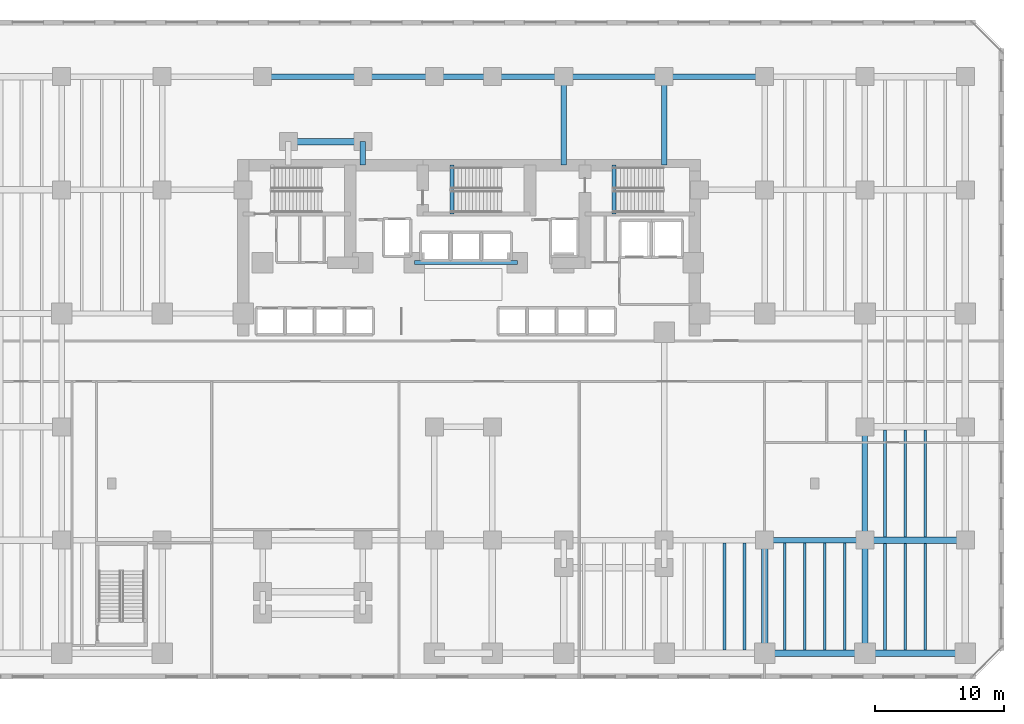
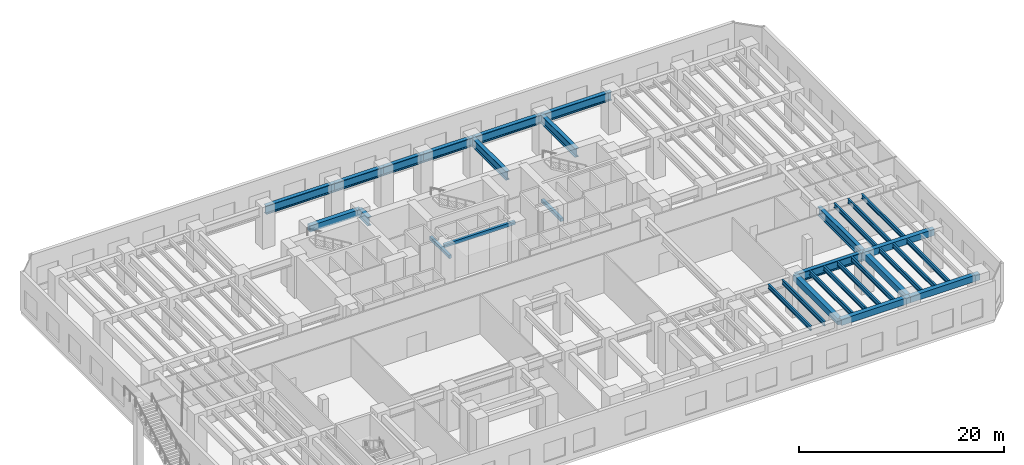
# One storey, part 5 of 19: 32 beams.
"""IFC4 building model written with IfcOpenShell, lengths in metres."""

import ifcopenshell
import ifcopenshell.guid

model = None  # the IFC model being written
_history = None  # IfcOwnerHistory: only IFC2X3 demands one
_inside = {}  # id of a spatial element -> (the spatial element, [elements in it])
_under = {}  # id of a project, library or spatial element -> (it, [spatial elements below it])
_declared = {}  # id of a project -> (the project, [libraries it declares])
_typed = {}  # id of a type object -> (the type object, [elements of that type])
_made_of = {}  # id of a material, layer set ... -> (it, [elements and type objects made of it])


def new_model(schema):
    """Start an empty IFC model of exactly this schema.

    Asked for "IFC4X3", IfcOpenShell would pick the latest addendum, in which some entities
    have other attributes; the version numbers below select the first issue.
    IFC2X3 requires an IfcOwnerHistory on every rooted entity: one is made here for all.
    """
    global model, _history
    if schema == "IFC4X3":
        model = ifcopenshell.file(schema_version=(4, 3, 0, 0))
    else:
        model = ifcopenshell.file(schema=schema)
    _inside.clear()
    _under.clear()
    _declared.clear()
    _typed.clear()
    _made_of.clear()
    _history = None
    if model.schema == "IFC2X3":
        org = make("IfcOrganization", Name="unknown")
        user = make(
            "IfcPersonAndOrganization",
            ThePerson=make("IfcPerson", FamilyName="unknown"),
            TheOrganization=org,
        )
        app = make(
            "IfcApplication",
            ApplicationDeveloper=org,
            Version="unknown",
            ApplicationFullName="unknown",
            ApplicationIdentifier="unknown",
        )
        _history = make(
            "IfcOwnerHistory",
            OwningUser=user,
            OwningApplication=app,
            ChangeAction="ADDED",
            CreationDate=0,
        )
    return model


def make(cls, **values):
    """One entity of the class cls with the attributes given. An attribute that is None is left unset."""
    return model.create_entity(
        cls, **{name: value for name, value in values.items() if value is not None}
    )


def rooted(cls, **values):
    """An entity with a GlobalId (a new one), such as an element, a storey or a relation."""
    return make(cls, GlobalId=ifcopenshell.guid.new(), OwnerHistory=_history, **values)


def si_unit(unit_type, name, prefix=None):
    """IfcSIUnit, for example si_unit("LENGTHUNIT", "METRE", prefix="MILLI")."""
    return make("IfcSIUnit", UnitType=unit_type, Prefix=prefix, Name=name)


def assignment(units):
    """IfcUnitAssignment: the units of a project."""
    return None if units is None else make("IfcUnitAssignment", Units=units)


def point(xyz):
    """IfcCartesianPoint."""
    return None if xyz is None else make("IfcCartesianPoint", Coordinates=xyz)


def direction(xyz):
    """IfcDirection."""
    return None if xyz is None else make("IfcDirection", DirectionRatios=xyz)


def frame(location, z_axis=None, x_axis=None):
    """IfcAxis2Placement3D, a coordinate frame: its origin and axes. An axis left out is left unset."""
    return make(
        "IfcAxis2Placement3D",
        Location=point(location),
        Axis=direction(z_axis),
        RefDirection=direction(x_axis),
    )


def frame_2d(location, x_axis=None):
    """IfcAxis2Placement2D, a coordinate frame in the plane: its origin and x axis."""
    return make(
        "IfcAxis2Placement2D", Location=point(location), RefDirection=direction(x_axis)
    )


def origin():
    """The frame at (0, 0, 0) with its axes left unset."""
    return frame((0.0, 0.0, 0.0))


def origin_2d():
    """The frame at (0, 0) in the plane with its x axis left unset."""
    return frame_2d((0.0, 0.0))


def place(relative_to, where):
    """IfcLocalPlacement: puts the frame where relative to a parent placement (None: the world)."""
    return make(
        "IfcLocalPlacement", PlacementRelTo=relative_to, RelativePlacement=where
    )


def context(
    kind, dimensions, precision=None, world=None, true_north=None, identifier=None
):
    """IfcGeometricRepresentationContext, for example the 3D "Model" context."""
    return make(
        "IfcGeometricRepresentationContext",
        ContextIdentifier=identifier,
        ContextType=kind,
        CoordinateSpaceDimension=dimensions,
        Precision=precision,
        WorldCoordinateSystem=world,
        TrueNorth=true_north,
    )


def subcontext(parent, identifier, kind, view, scale=None):
    """IfcGeometricRepresentationSubContext, for example "Body" below "Model"."""
    return make(
        "IfcGeometricRepresentationSubContext",
        ContextIdentifier=identifier,
        ContextType=kind,
        ParentContext=parent,
        TargetScale=scale,
        TargetView=view,
    )


def project(units=None, contexts=None):
    """IfcProject with its units and contexts."""
    return rooted(
        "IfcProject",
        Name="project",
        RepresentationContexts=contexts,
        UnitsInContext=assignment(units),
    )


def spatial(cls, under=None, at=None, **own):
    """A site, building, storey or space (cls), placed at a placement, below another one or the project."""
    s = rooted(cls, ObjectPlacement=at, **own)
    if under is not None:
        _under.setdefault(under.id(), (under, []))[1].append(s)
    return s


def profile(cls, at=None, kind="AREA", **sizes):
    """A parametric profile (cls). Its sizes go by their IFC names, for example OverallWidth=200.0."""
    return make(cls, ProfileType=kind, Position=at, **sizes)


def rectangle(**sizes):
    """IfcRectangleProfileDef."""
    return profile("IfcRectangleProfileDef", **sizes)


def i_section(**sizes):
    """IfcIShapeProfileDef."""
    return profile("IfcIShapeProfileDef", **sizes)


def extrude(swept, where, along, depth):
    """IfcExtrudedAreaSolid: the profile swept, set in the frame where, extruded along a direction by depth."""
    return make(
        "IfcExtrudedAreaSolid",
        SweptArea=swept,
        Position=where,
        ExtrudedDirection=direction(along),
        Depth=depth,
    )


def shape(context_of_items, identifier, shape_type, items):
    """IfcShapeRepresentation: the items that make up one representation, for example the "Body"."""
    return make(
        "IfcShapeRepresentation",
        ContextOfItems=context_of_items,
        RepresentationIdentifier=identifier,
        RepresentationType=shape_type,
        Items=items,
    )


def material(Name=None, Category=None):
    """IfcMaterial."""
    return make("IfcMaterial", Name=Name, Category=Category)


def material_profile(
    of_material, cross_section, Name=None, Category=None, Priority=None
):
    """IfcMaterialProfile: a cross section and its material."""
    return make(
        "IfcMaterialProfile",
        Name=Name,
        Material=of_material,
        Profile=cross_section,
        Priority=Priority,
        Category=Category,
    )


def profile_set(profiles, Name=None, composite=None):
    """IfcMaterialProfileSet."""
    return make(
        "IfcMaterialProfileSet",
        Name=Name,
        MaterialProfiles=profiles,
        CompositeProfile=composite,
    )


def made_of(thing, what):
    """Note that an element or type object is made of a material, layer set ...; save() writes the relation."""
    if what is not None:
        _made_of.setdefault(what.id(), (what, []))[1].append(thing)
    return thing


def type_object(cls, material=None, **own):
    """A type object (cls), such as IfcWallType, which elements share."""
    return made_of(rooted(cls, **own), material)


def element(
    cls,
    number,
    at=None,
    inside=None,
    cuts=None,
    type_object=None,
    material=None,
    context=None,
    identifier="Body",
    shape_type=None,
    held_by="IfcProductDefinitionShape",
    body=None,
    shapes=None,
    **own,
):
    """One element of the class cls, such as IfcWall. Its Tag is "e" and its number.

    at: its placement. inside: the storey or other place that contains it. cuts: it is an
    opening in that element (IfcRelVoidsElement). A single representation is given by context,
    identifier, shape_type and body (its items); several are given by shapes. held_by: the class
    of the entity that holds the representations. save() writes the other relations.
    """
    e = rooted(cls, Tag="e%d" % number, ObjectPlacement=at, **own)
    if body is not None:
        shapes = [shape(context, identifier, shape_type, body)]
    if shapes is not None:
        e.Representation = make(held_by, Representations=shapes)
    if inside is not None:
        _inside.setdefault(inside.id(), (inside, []))[1].append(e)
    if cuts is not None:
        rooted(
            "IfcRelVoidsElement", RelatingBuildingElement=cuts, RelatedOpeningElement=e
        )
    if type_object is not None:
        _typed.setdefault(type_object.id(), (type_object, []))[1].append(e)
    return made_of(e, material)


def aggregate(whole, parts):
    """IfcRelAggregates: a whole, such as a stair, and the parts it consists of."""
    return rooted("IfcRelAggregates", RelatingObject=whole, RelatedObjects=parts)


def save(model, path):
    """Write the relations noted so far, then the file.

    IfcRelAggregates (storeys below a building ...), IfcRelContainedInSpatialStructure (elements
    in a storey), IfcRelDefinesByType, IfcRelAssociatesMaterial and IfcRelDeclares: one each for
    every whole, place, type object, material and project.
    """
    for whole, parts in _under.values():
        aggregate(whole, parts)
    for where, things in _inside.values():
        rooted(
            "IfcRelContainedInSpatialStructure",
            RelatedElements=things,
            RelatingStructure=where,
        )
    for kind, things in _typed.values():
        rooted("IfcRelDefinesByType", RelatedObjects=things, RelatingType=kind)
    for what, things in _made_of.values():
        rooted("IfcRelAssociatesMaterial", RelatedObjects=things, RelatingMaterial=what)
    for by, libraries in _declared.values():
        rooted("IfcRelDeclares", RelatingContext=by, RelatedDefinitions=libraries)
    model.write(path)


model = new_model("IFC4")

# Units and contexts
model_context = context("Model", 3, precision=1e-05, world=origin(), true_north=direction((0.0, 1.0)))
body_context = subcontext(model_context, "Body", "Model", "MODEL_VIEW")
ifc_project = project(units=[si_unit("LENGTHUNIT", "METRE"), si_unit("AREAUNIT", "SQUARE_METRE"), si_unit("VOLUMEUNIT", "CUBIC_METRE"), si_unit("PLANEANGLEUNIT", "RADIAN"), si_unit("MASSUNIT", "GRAM", prefix="KILO")], contexts=[model_context])

# Site, building, storey
site_placement = place(None, origin())
site = spatial("IfcSite", under=ifc_project, at=site_placement, CompositionType="ELEMENT")
building_placement = place(site_placement, origin())
building = spatial("IfcBuilding", under=site, at=building_placement, Name="Kestravale Grand Hotel", CompositionType="ELEMENT")
storey_placement = place(building_placement, frame((0.0, 0.0, 5.39990234375)))
storey = spatial("IfcBuildingStorey", under=building, at=storey_placement, Name="L01", CompositionType="ELEMENT", Elevation=5.39990234375)

# Beams
ifc_material_1 = material(Name="Steel ASTM A992 Grade 50", Category="steel")
ifc_material_profile_1 = material_profile(ifc_material_1, i_section(OverallWidth=0.2099609375, OverallDepth=0.535888671875, WebThickness=0.010986328125, FlangeThickness=0.017333984375, FilletRadius=0.017578125, at=origin_2d()))
ifc_profile_set_1 = profile_set([ifc_material_profile_1], Name="Steel ASTM A992 Grade 50")
beam_type_1 = type_object("IfcBeamType", Name="B-FLR-JST21", PredefinedType="JOIST", material=ifc_profile_set_1)
for number, where, z_axis, x_axis, name in (
    (1, (59.280029296875, 2.64990234375, 4.382080078125), (0.0, 1.0, 0.0), (-1.0, 0.0, 0.0), "L01 floor joist 9-10/B-C #3"),
    (2, (60.840087890625, 2.64990234375, 4.382080078125), (0.0, 1.0, 0.0), (-1.0, 0.0, 0.0), "L01 floor joist 9-10/B-C #4"),
    (3, (63.9599609375, 2.64990234375, 4.382080078125), (0.0, 1.0, 0.0), (-1.0, 0.0, 0.0), "L01 floor joist 10-11/B-C #1"),
    (4, (65.52001953125, 2.64990234375, 4.382080078125), (0.0, 1.0, 0.0), (-1.0, 0.0, 0.0), "L01 floor joist 10-11/B-C #2"),
    (5, (67.080078125, 2.64990234375, 4.382080078125), (0.0, 1.0, 0.0), (-1.0, 0.0, 0.0), "L01 floor joist 10-11/B-C #3"),
    (6, (68.639892578125, 2.64990234375, 4.382080078125), (0.0, 1.0, 0.0), (-1.0, 0.0, 0.0), "L01 floor joist 10-11/B-C #4"),
):
    element("IfcBeam", number, at=place(storey_placement, frame(where, z_axis=z_axis, x_axis=x_axis)), inside=storey, type_object=beam_type_1, Name=name, PredefinedType="JOIST", context=body_context, shape_type="SweptSolid", body=[
        extrude(i_section(OverallWidth=0.2099609375, OverallDepth=0.535888671875, WebThickness=0.010986328125, FlangeThickness=0.017333984375, FilletRadius=0.017578125, at=origin_2d()), origin(), (0.0, 0.0, 1.0), 8.336669921875),
    ])
for number, where, z_axis, x_axis, name in (
    (7, (71.760009765625, 2.64990234375, 4.382080078125), (0.0, 1.0, 0.0), (-1.0, 0.0, 0.0), "L01 floor joist 11-12/B-C #1"),
    (8, (73.320068359375, 2.64990234375, 4.382080078125), (0.0, 1.0, 0.0), (-1.0, 0.0, 0.0), "L01 floor joist 11-12/B-C #2"),
    (9, (74.8798828125, 2.64990234375, 4.382080078125), (0.0, 1.0, 0.0), (-1.0, 0.0, 0.0), "L01 floor joist 11-12/B-C #3"),
    (10, (71.760009765625, 11.449951171875, 4.382080078125), (0.0, 1.0, 0.0), (-1.0, 0.0, 0.0), "L01 floor joist 11-12/C-D #1"),
    (11, (73.320068359375, 11.449951171875, 4.382080078125), (0.0, 1.0, 0.0), (-1.0, 0.0, 0.0), "L01 floor joist 11-12/C-D #2"),
    (12, (74.8798828125, 11.449951171875, 4.382080078125), (0.0, 1.0, 0.0), (-1.0, 0.0, 0.0), "L01 floor joist 11-12/C-D #3"),
):
    element("IfcBeam", number, at=place(storey_placement, frame(where, z_axis=z_axis, x_axis=x_axis)), inside=storey, type_object=beam_type_1, Name=name, PredefinedType="JOIST", context=body_context, shape_type="SweptSolid", body=[
        extrude(i_section(OverallWidth=0.2099609375, OverallDepth=0.535888671875, WebThickness=0.010986328125, FlangeThickness=0.017333984375, FilletRadius=0.017578125, at=origin_2d()), origin(), (0.0, 0.0, 1.0), 8.300048828125),
    ])
ifc_material_2 = material(Name="Concrete f'c 45 MPa", Category="concrete")
ifc_material_profile_2 = material_profile(ifc_material_2, rectangle(XDim=0.300048828125, YDim=0.39990234375, at=origin_2d()))
ifc_profile_set_2 = profile_set([ifc_material_profile_2], Name="Concrete f'c 45 MPa")
beam_type_2 = type_object("IfcBeamType", Name="B-FLR-LNT400", PredefinedType="LINTEL", material=ifc_profile_set_2)
beam_1_placement = place(storey_placement, frame((35.199951171875, 32.75, 4.4501953125), z_axis=(1.0, 0.0, 0.0), x_axis=(0.0, 1.0, 0.0)))
element("IfcBeam", 13, at=beam_1_placement, inside=storey, type_object=beam_type_2, Name="L01 core portal header lintel", PredefinedType="LINTEL", context=body_context, shape_type="SweptSolid", body=[
    extrude(rectangle(XDim=0.300048828125, YDim=0.39990234375, at=origin_2d()), origin(), (0.0, 0.0, 1.0), 8.0),
])
for number, where, z_axis, x_axis, name in (
    (14, (38.110107421875, 36.52001953125, -0.199951171875), (0.0, 1.0, 0.0), (-1.0, 0.0, 0.0), "L01 ST2 flight bottom header beam"),
    (15, (50.7099609375, 36.52001953125, -0.199951171875), (0.0, 1.0, 0.0), (-1.0, 0.0, 0.0), "L01 ST3 flight bottom header beam"),
):
    element("IfcBeam", number, at=place(storey_placement, frame(where, z_axis=z_axis, x_axis=x_axis)), inside=storey, type_object=beam_type_2, Name=name, PredefinedType="LINTEL", context=body_context, shape_type="SweptSolid", body=[
        extrude(rectangle(XDim=0.300048828125, YDim=0.39990234375, at=origin_2d()), origin(), (0.0, 0.0, 1.0), 3.800048828125),
    ])
ifc_material_3 = material(Name="Concrete f'c 45 MPa", Category="concrete")
ifc_material_profile_3 = material_profile(ifc_material_3, rectangle(XDim=0.5, YDim=0.75, at=origin_2d()))
ifc_profile_set_3 = profile_set([ifc_material_profile_3], Name="Concrete f'c 45 MPa")
beam_type_3 = type_object("IfcBeamType", Name="B-FLR-RC750", PredefinedType="SPANDREL", material=ifc_profile_set_3)
for number, where, z_axis, x_axis, name in (
    (16, (62.39990234375, 2.39990234375, 4.275146484375), (1.0, 0.0, 0.0), (0.0, 1.0, 0.0), "L01 spandrel B:10-11"),
    (17, (70.199951171875, 2.39990234375, 4.275146484375), (1.0, 0.0, 0.0), (0.0, 1.0, 0.0), "L01 spandrel B:11-12"),
    (18, (70.199951171875, 11.199951171875, 4.275146484375), (1.0, 0.0, 0.0), (0.0, 1.0, 0.0), "L01 spandrel C:11-12"),
):
    element("IfcBeam", number, at=place(storey_placement, frame(where, z_axis=z_axis, x_axis=x_axis)), inside=storey, type_object=beam_type_3, Name=name, PredefinedType="SPANDREL", context=body_context, shape_type="SweptSolid", body=[
        extrude(rectangle(XDim=0.5, YDim=0.75, at=origin_2d()), origin(), (0.0, 0.0, 1.0), 7.800048828125),
    ])
beam_2_placement = place(storey_placement, frame((25.39990234375, 42.14990234375, 4.275146484375), z_axis=(1.0, 0.0, 0.0), x_axis=(0.0, 1.0, 0.0)))
element("IfcBeam", 19, at=beam_2_placement, inside=storey, type_object=beam_type_3, Name="L01 perimeter tie spandrel FN:4-5", PredefinedType="SPANDREL", context=body_context, shape_type="SweptSolid", body=[
    extrude(rectangle(XDim=0.5, YDim=0.75, at=origin_2d()), origin(), (0.0, 0.0, 1.0), 5.800048828125),
])
for number, where, z_axis, x_axis, name in (
    (20, (62.39990234375, 2.39990234375, 4.275146484375), (0.0, 1.0, 0.0), (-1.0, 0.0, 0.0), "L01 spandrel 10:B-C"),
    (21, (70.199951171875, 2.39990234375, 4.275146484375), (0.0, 1.0, 0.0), (-1.0, 0.0, 0.0), "L01 spandrel 11:B-C"),
):
    element("IfcBeam", number, at=place(storey_placement, frame(where, z_axis=z_axis, x_axis=x_axis)), inside=storey, type_object=beam_type_3, Name=name, PredefinedType="SPANDREL", context=body_context, shape_type="SweptSolid", body=[
        extrude(rectangle(XDim=0.5, YDim=0.75, at=origin_2d()), origin(), (0.0, 0.0, 1.0), 8.800048828125),
    ])
ifc_material_4 = material(Name="Steel ASTM A992 Grade 50", Category="steel")
ifc_material_profile_4 = material_profile(ifc_material_4, i_section(OverallWidth=0.427001953125, OverallDepth=1.0400390625, WebThickness=0.031005859375, FlangeThickness=0.055908203125, FilletRadius=0.028076171875, at=origin_2d()))
ifc_profile_set_4 = profile_set([ifc_material_profile_4], Name="Steel ASTM A992 Grade 50")
beam_type_4 = type_object("IfcBeamType", Name="B-GRD-W40", PredefinedType="BEAM", material=ifc_profile_set_4)
for number, where, z_axis, x_axis, name in (
    (22, (62.39990234375, 11.199951171875, 4.130126953125), (1.0, 0.0, 0.0), (0.0, 1.0, 0.0), "L01 girder C:10-11"),
    (23, (23.39990234375, 47.199951171875, 4.130126953125), (1.0, 0.0, 0.0), (0.0, 1.0, 0.0), "L01 girder G:4-5"),
):
    element("IfcBeam", number, at=place(storey_placement, frame(where, z_axis=z_axis, x_axis=x_axis)), inside=storey, type_object=beam_type_4, Name=name, PredefinedType="BEAM", context=body_context, shape_type="SweptSolid", body=[
        extrude(i_section(OverallWidth=0.427001953125, OverallDepth=1.0400390625, WebThickness=0.031005859375, FlangeThickness=0.055908203125, FilletRadius=0.028076171875, at=origin_2d()), origin(), (0.0, 0.0, 1.0), 7.800048828125),
    ])
beam_3_placement = place(storey_placement, frame((31.199951171875, 47.199951171875, 4.130126953125), z_axis=(1.0, 0.0, 0.0), x_axis=(0.0, 1.0, 0.0)))
element("IfcBeam", 24, at=beam_3_placement, inside=storey, type_object=beam_type_4, Name="L01 girder G:5-6", PredefinedType="BEAM", context=body_context, shape_type="SweptSolid", body=[
    extrude(i_section(OverallWidth=0.427001953125, OverallDepth=1.0400390625, WebThickness=0.031005859375, FlangeThickness=0.055908203125, FilletRadius=0.028076171875, at=origin_2d()), origin(), (0.0, 0.0, 1.0), 5.550048828125),
])
beam_4_placement = place(storey_placement, frame((36.75, 47.199951171875, 4.130126953125), z_axis=(1.0, 0.0, 0.0), x_axis=(0.0, 1.0, 0.0)))
element("IfcBeam", 25, at=beam_4_placement, inside=storey, type_object=beam_type_4, Name="L01 girder G:6-7", PredefinedType="BEAM", context=body_context, shape_type="SweptSolid", body=[
    extrude(i_section(OverallWidth=0.427001953125, OverallDepth=1.0400390625, WebThickness=0.031005859375, FlangeThickness=0.055908203125, FilletRadius=0.028076171875, at=origin_2d()), origin(), (0.0, 0.0, 1.0), 4.5),
])
beam_5_placement = place(storey_placement, frame((41.25, 47.199951171875, 4.130126953125), z_axis=(1.0, 0.0, 0.0), x_axis=(0.0, 1.0, 0.0)))
element("IfcBeam", 26, at=beam_5_placement, inside=storey, type_object=beam_type_4, Name="L01 girder G:7-8", PredefinedType="BEAM", context=body_context, shape_type="SweptSolid", body=[
    extrude(i_section(OverallWidth=0.427001953125, OverallDepth=1.0400390625, WebThickness=0.031005859375, FlangeThickness=0.055908203125, FilletRadius=0.028076171875, at=origin_2d()), origin(), (0.0, 0.0, 1.0), 5.550048828125),
])
beam_6_placement = place(storey_placement, frame((46.800048828125, 47.199951171875, 4.130126953125), z_axis=(1.0, 0.0, 0.0), x_axis=(0.0, 1.0, 0.0)))
element("IfcBeam", 27, at=beam_6_placement, inside=storey, type_object=beam_type_4, Name="L01 girder G:8-9", PredefinedType="BEAM", context=body_context, shape_type="SweptSolid", body=[
    extrude(i_section(OverallWidth=0.427001953125, OverallDepth=1.0400390625, WebThickness=0.031005859375, FlangeThickness=0.055908203125, FilletRadius=0.028076171875, at=origin_2d()), origin(), (0.0, 0.0, 1.0), 7.800048828125),
])
beam_7_placement = place(storey_placement, frame((54.60009765625, 47.199951171875, 4.130126953125), z_axis=(1.0, 0.0, 0.0), x_axis=(0.0, 1.0, 0.0)))
element("IfcBeam", 28, at=beam_7_placement, inside=storey, type_object=beam_type_4, Name="L01 girder G:9-10", PredefinedType="BEAM", context=body_context, shape_type="SweptSolid", body=[
    extrude(i_section(OverallWidth=0.427001953125, OverallDepth=1.0400390625, WebThickness=0.031005859375, FlangeThickness=0.055908203125, FilletRadius=0.028076171875, at=origin_2d()), origin(), (0.0, 0.0, 1.0), 7.7998046875),
])
beam_8_placement = place(storey_placement, frame((70.199951171875, 11.199951171875, 4.130126953125), z_axis=(0.0, 1.0, 0.0), x_axis=(-1.0, 0.0, 0.0)))
element("IfcBeam", 29, at=beam_8_placement, inside=storey, type_object=beam_type_4, Name="L01 girder 11:C-D", PredefinedType="BEAM", context=body_context, shape_type="SweptSolid", body=[
    extrude(i_section(OverallWidth=0.427001953125, OverallDepth=1.0400390625, WebThickness=0.031005859375, FlangeThickness=0.055908203125, FilletRadius=0.028076171875, at=origin_2d()), origin(), (0.0, 0.0, 1.0), 8.800048828125),
])
beam_9_placement = place(storey_placement, frame((31.199951171875, 40.320068359375, 4.130126953125), z_axis=(0.0, 1.0, 0.0), x_axis=(-1.0, 0.0, 0.0)))
element("IfcBeam", 30, at=beam_9_placement, inside=storey, type_object=beam_type_4, Name="L01 north wing tie girder 5:CN-FN", PredefinedType="BEAM", context=body_context, shape_type="SweptSolid", body=[
    extrude(i_section(OverallWidth=0.427001953125, OverallDepth=1.0400390625, WebThickness=0.031005859375, FlangeThickness=0.055908203125, FilletRadius=0.028076171875, at=origin_2d()), origin(), (0.0, 0.0, 1.0), 1.829833984375),
])
for number, where, z_axis, x_axis, name in (
    (31, (46.800048828125, 40.320068359375, 4.130126953125), (0.0, 1.0, 0.0), (-1.0, 0.0, 0.0), "L01 north wing tie girder 8:CN-G"),
    (32, (54.60009765625, 40.320068359375, 4.130126953125), (0.0, 1.0, 0.0), (-1.0, 0.0, 0.0), "L01 north wing tie girder 9:CN-G"),
):
    element("IfcBeam", number, at=place(storey_placement, frame(where, z_axis=z_axis, x_axis=x_axis)), inside=storey, type_object=beam_type_4, Name=name, PredefinedType="BEAM", context=body_context, shape_type="SweptSolid", body=[
        extrude(i_section(OverallWidth=0.427001953125, OverallDepth=1.0400390625, WebThickness=0.031005859375, FlangeThickness=0.055908203125, FilletRadius=0.028076171875, at=origin_2d()), origin(), (0.0, 0.0, 1.0), 6.8798828125),
    ])

save(model, "model.ifc")
